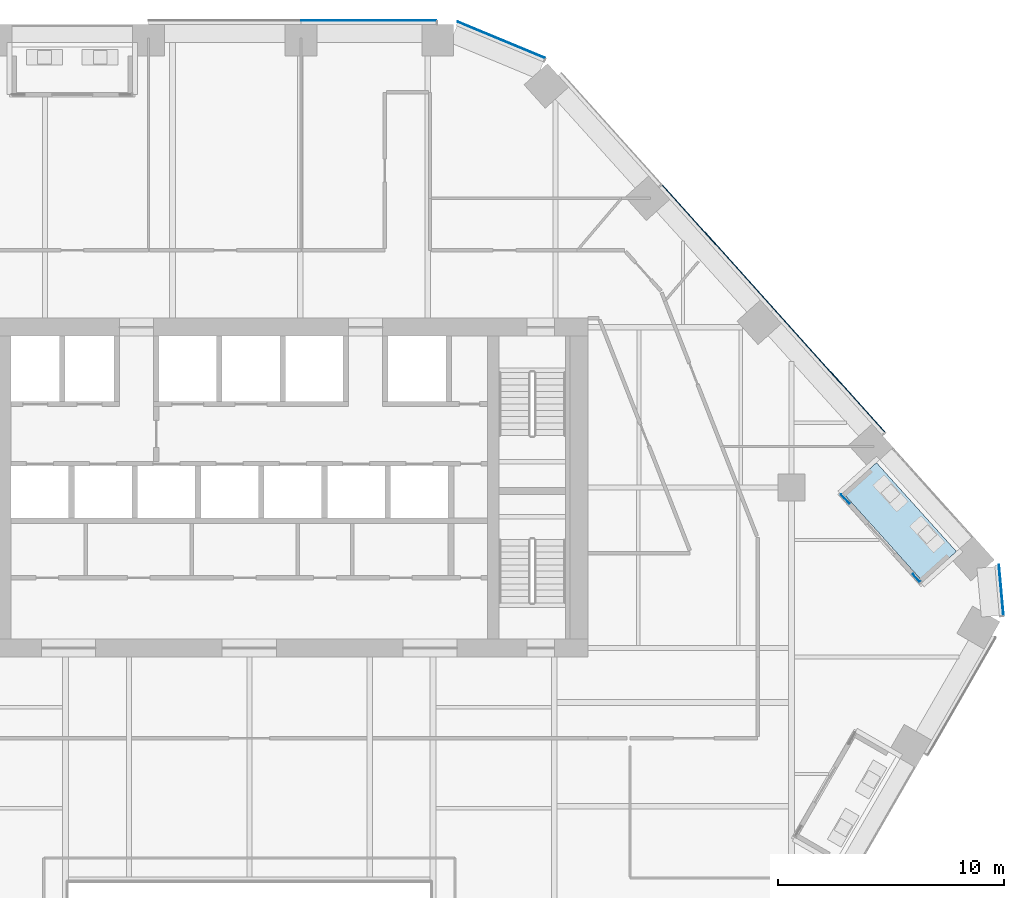
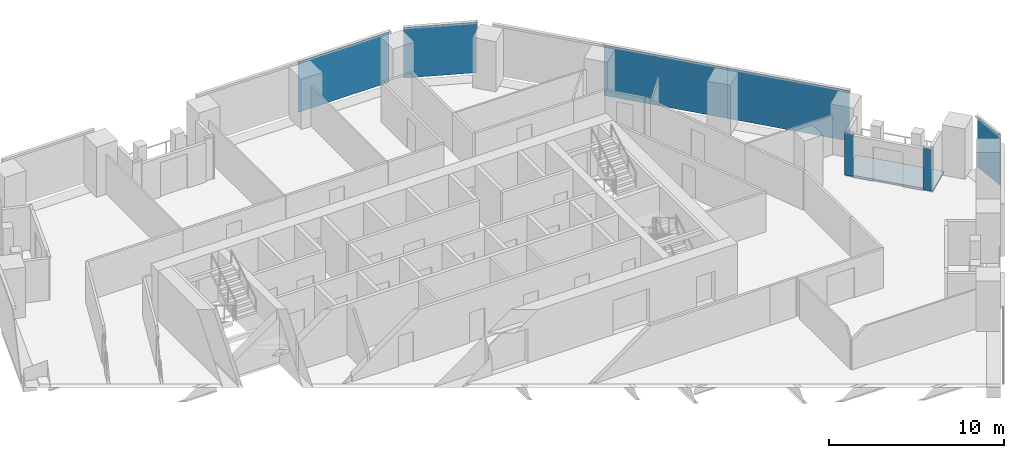
# One storey, part 18 of 26: 7 plates, 1 slab, 5 elements without a shape of their own.
"""IFC4 building model written with IfcOpenShell, lengths in metres."""

from ifc_helpers import new_model, si_unit, direction, frame, origin, origin_2d, place, context, subcontext, project, spatial, polyline, rectangle, outline, extrude, material, layer, layer_set, type_object, element, aggregate, save


model = new_model("IFC4")

# Units and contexts
model_context = context("Model", 3, precision=1e-05, world=origin(), true_north=direction((0.0, 1.0)))
body_context = subcontext(model_context, "Body", "Model", "MODEL_VIEW")
ifc_project = project(units=[si_unit("LENGTHUNIT", "METRE"), si_unit("AREAUNIT", "SQUARE_METRE"), si_unit("VOLUMEUNIT", "CUBIC_METRE"), si_unit("PLANEANGLEUNIT", "RADIAN"), si_unit("MASSUNIT", "GRAM", prefix="KILO")], contexts=[model_context])

# Site, building, storey
site_placement = place(None, origin())
site = spatial("IfcSite", under=ifc_project, at=site_placement, CompositionType="ELEMENT")
building_placement = place(site_placement, origin())
building = spatial("IfcBuilding", under=site, at=building_placement, Name="Isthmus Gate Tower", CompositionType="ELEMENT")
storey_placement = place(building_placement, frame((0.0, 0.0, 129.800048828125)))
storey = spatial("IfcBuildingStorey", under=building, at=storey_placement, Name="L31", CompositionType="ELEMENT", Elevation=129.800048828125)

# Curtain wall, plate
ifc_material_1 = material(Name="Aluminium, pale champagne anodised", Category="aluminium")
ifc_layer_1 = layer(ifc_material_1, 0.199951171875)
ifc_layer_set_1 = layer_set([ifc_layer_1], Name="CW-1 UNITISED CURTAIN WALL 200 DEEP")
curtain_wall_type_1 = type_object("IfcCurtainWallType", Name="CW-1 UNITISED CURTAIN WALL 200 DEEP", PredefinedType="NOTDEFINED", material=ifc_layer_set_1)
curtain_wall_1_placement = place(storey_placement, origin())
curtain_wall_1 = element("IfcCurtainWall", 1, at=curtain_wall_1_placement, inside=storey, type_object=curtain_wall_type_1, Name="CW-1 N L31", PredefinedType="NOTDEFINED")
ifc_material_2 = material(Name="Laminated low-iron glass, pale blue tint", Category="glass")
ifc_layer_2 = layer(ifc_material_2, 0.035888671875)
ifc_layer_set_2 = layer_set([ifc_layer_2], Name="CW-1 CLEAR GLASS LITE 36")
plate_type_1 = type_object("IfcPlateType", Name="CW-1 CLEAR GLASS LITE 36", PredefinedType="CURTAIN_PANEL", material=ifc_layer_set_2)
plate_1_placement = place(storey_placement, frame((5.283447265625, 28.181884765625, 0.0), z_axis=(0.0, 0.0, 1.0), x_axis=(-1.0, 0.0, 0.0)))
plate_1 = element("IfcPlate", 2, at=plate_1_placement, type_object=plate_type_1, Name="CW-1 glass lite", PredefinedType="CURTAIN_PANEL", context=body_context, shape_type="SweptSolid", body=[
    extrude(rectangle(XDim=5.990234375, YDim=0.035888671875, at=origin_2d()), origin(), (0.0, 0.0, 1.0), 3.510009765625),
])
aggregate(curtain_wall_1, [plate_1])

curtain_wall_2_placement = place(storey_placement, origin())
curtain_wall_2 = element("IfcCurtainWall", 3, at=curtain_wall_2_placement, inside=storey, type_object=curtain_wall_type_1, Name="CW-1 SE-NE L31", PredefinedType="NOTDEFINED")
plate_2_placement = place(storey_placement, frame((33.285888671875, 2.966552734375, 0.0), z_axis=(0.0, 0.0, 1.0), x_axis=(-0.089396669717, 0.995996102123, 0.0)))
plate_2 = element("IfcPlate", 4, at=plate_2_placement, type_object=plate_type_1, Name="CW-1 glass lite", PredefinedType="CURTAIN_PANEL", context=body_context, shape_type="SweptSolid", body=[
    extrude(rectangle(XDim=2.258544921875, YDim=0.035888671875, at=origin_2d()), origin(), (0.0, 0.0, 1.0), 3.510009765625),
])
aggregate(curtain_wall_2, [plate_2])

# Curtain wall, plates
curtain_wall_3_placement = place(storey_placement, origin())
curtain_wall_3 = element("IfcCurtainWall", 5, at=curtain_wall_3_placement, inside=storey, type_object=curtain_wall_type_1, Name="CW-1 NE L31", PredefinedType="NOTDEFINED")
plate_3_placement = place(storey_placement, frame((25.680419921875, 12.681884765625, 0.0), z_axis=(0.0, 0.0, 1.0), x_axis=(-0.669130606359, 0.743144825477, 0.0)))
plate_3 = element("IfcPlate", 6, at=plate_3_placement, type_object=plate_type_1, Name="CW-1 glass lite", PredefinedType="CURTAIN_PANEL", context=body_context, shape_type="SweptSolid", body=[
    extrude(rectangle(XDim=7.330810546875, YDim=0.035888671875, at=origin_2d()), origin(), (0.0, 0.0, 1.0), 3.510009765625),
])
plate_4_placement = place(storey_placement, frame((20.755126953125, 18.15185546875, 0.0), z_axis=(0.0, 0.0, 1.0), x_axis=(-0.669130606359, 0.743144825477, 0.0)))
plate_4 = element("IfcPlate", 7, at=plate_4_placement, type_object=plate_type_1, Name="CW-1 glass lite", PredefinedType="CURTAIN_PANEL", context=body_context, shape_type="SweptSolid", body=[
    extrude(rectangle(XDim=7.390869140625, YDim=0.035888671875, at=origin_2d()), origin(), (0.0, 0.0, 1.0), 3.510009765625),
])
aggregate(curtain_wall_3, [plate_3, plate_4])

# Curtain wall, plate
curtain_wall_4_placement = place(storey_placement, origin())
curtain_wall_4 = element("IfcCurtainWall", 8, at=curtain_wall_4_placement, inside=storey, type_object=curtain_wall_type_1, Name="CW-1 NE-N L31", PredefinedType="NOTDEFINED")
plate_5_placement = place(storey_placement, frame((11.154052734375, 27.3173828125, 0.0), z_axis=(0.0, 0.0, 1.0), x_axis=(-0.923353128387, 0.383951820282, 0.0)))
plate_5 = element("IfcPlate", 9, at=plate_5_placement, type_object=plate_type_1, Name="CW-1 glass lite", PredefinedType="CURTAIN_PANEL", context=body_context, shape_type="SweptSolid", body=[
    extrude(rectangle(XDim=4.181396484375, YDim=0.035888671875, at=origin_2d()), origin(), (0.0, 0.0, 1.0), 3.510009765625),
])
aggregate(curtain_wall_4, [plate_5])

# Curtain wall, plates
ifc_material_3 = material(Name="Aluminium, pale champagne anodised", Category="aluminium")
ifc_layer_3 = layer(ifc_material_3, 0.14990234375)
ifc_layer_set_3 = layer_set([ifc_layer_3], Name="CW-6 LOGGIA BACK WALL GLAZING 150 DEEP")
curtain_wall_type_2 = type_object("IfcCurtainWallType", Name="CW-6 LOGGIA BACK WALL GLAZING 150 DEEP", PredefinedType="NOTDEFINED", material=ifc_layer_set_3)
curtain_wall_5_placement = place(storey_placement, origin())
curtain_wall_5 = element("IfcCurtainWall", 10, at=curtain_wall_5_placement, inside=storey, type_object=curtain_wall_type_2, Name="CW-6 NE L31", PredefinedType="NOTDEFINED")
ifc_material_4 = material(Name="Laminated low-iron glass, clear", Category="glass")
ifc_layer_4 = layer(ifc_material_4, 0.031982421875)
ifc_layer_set_4 = layer_set([ifc_layer_4], Name="CW-6 CLEAR GLASS LITE 32")
plate_type_2 = type_object("IfcPlateType", Name="CW-6 CLEAR GLASS LITE 32", PredefinedType="CURTAIN_PANEL", material=ifc_layer_set_4)
plate_6_placement = place(storey_placement, frame((29.540283203125, 3.490234375, 0.0), z_axis=(0.0, 0.0, 1.0), x_axis=(-0.669130606359, 0.743144825477, 0.0)))
plate_6 = element("IfcPlate", 11, at=plate_6_placement, type_object=plate_type_2, Name="CW-6 glass lite", PredefinedType="CURTAIN_PANEL", context=body_context, shape_type="SweptSolid", body=[
    extrude(rectangle(XDim=0.4853515625, YDim=0.031982421875, at=origin_2d()), origin(), (0.0, 0.0, 1.0), 2.929931640625),
])
plate_7_placement = place(storey_placement, frame((26.38525390625, 6.994384765625, 0.0), z_axis=(0.0, 0.0, 1.0), x_axis=(-0.669130606359, 0.743144825477, 0.0)))
plate_7 = element("IfcPlate", 12, at=plate_7_placement, type_object=plate_type_2, Name="CW-6 glass lite", PredefinedType="CURTAIN_PANEL", context=body_context, shape_type="SweptSolid", body=[
    extrude(rectangle(XDim=0.54541015625, YDim=0.031982421875, at=origin_2d()), origin(), (0.0, 0.0, 1.0), 2.929931640625),
])
aggregate(curtain_wall_5, [plate_6, plate_7])

# Slab
ifc_material_5 = material(Name="Concrete f'c 50 MPa", Category="concrete")
ifc_layer_5 = layer(ifc_material_5, 0.14990234375)
ifc_layer_set_5 = layer_set([ifc_layer_5], Name="LOGGIA FLOOR SLAB 150")
slab_type = type_object("IfcSlabType", Name="LOGGIA FLOOR SLAB 150", PredefinedType="FLOOR", material=ifc_layer_set_5)
slab_placement = place(storey_placement, frame((0.0, 0.0, -0.150146484375)))
element("IfcSlab", 13, at=slab_placement, inside=storey, type_object=slab_type, Name="LOGGIA FLOOR", PredefinedType="FLOOR", context=body_context, shape_type="SweptSolid", body=[
    extrude(outline(polyline([(31.303466796875, 4.67041015625), (27.76318359375, 8.602294921875), (26.277099609375, 7.263916015625), (29.817138671875, 3.33203125), (31.303466796875, 4.67041015625)])), origin(), (0.0, 0.0, 1.0), 0.150146484375),
])

save(model, "model.ifc")
